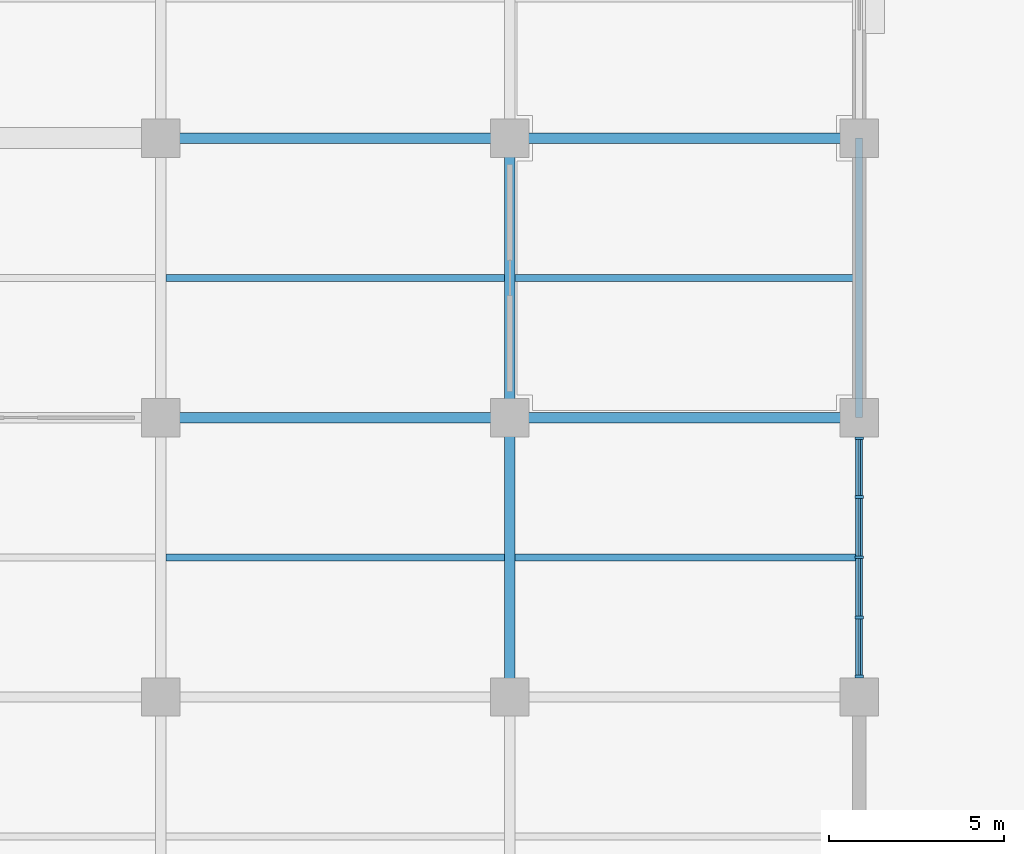
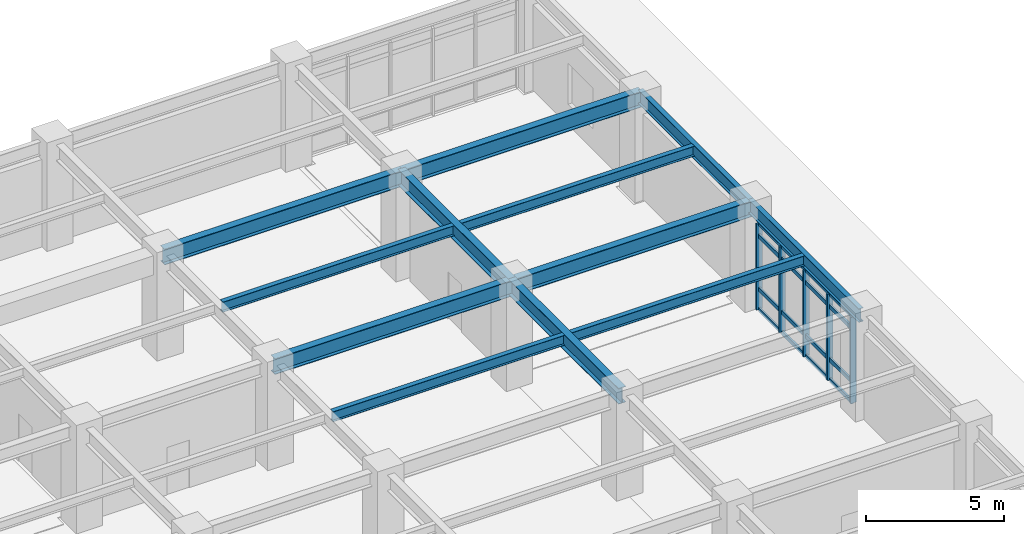
# One storey, part 53 of 125: 21 members, 12 beams, 1 element without a shape of its own.
"""IFC4 building model written with IfcOpenShell, lengths in metres."""

from ifc_helpers import new_model, si_unit, direction, frame, origin, origin_2d, place, context, subcontext, project, spatial, rectangle, i_section, extrude, material, layer, layer_set, material_profile, profile_set, type_object, element, aggregate, save


model = new_model("IFC4")

# Units and contexts
model_context = context("Model", 3, precision=1e-05, world=origin(), true_north=direction((0.0, 1.0)))
body_context = subcontext(model_context, "Body", "Model", "MODEL_VIEW")
ifc_project = project(units=[si_unit("LENGTHUNIT", "METRE"), si_unit("AREAUNIT", "SQUARE_METRE"), si_unit("VOLUMEUNIT", "CUBIC_METRE"), si_unit("PLANEANGLEUNIT", "RADIAN"), si_unit("MASSUNIT", "GRAM", prefix="KILO")], contexts=[model_context])

# Site, building, storey
site_placement = place(None, origin())
site = spatial("IfcSite", under=ifc_project, at=site_placement, CompositionType="ELEMENT")
building_placement = place(site_placement, origin())
building = spatial("IfcBuilding", under=site, at=building_placement, Name="Haebicheon Civic Stadium", CompositionType="ELEMENT")
storey_placement = place(building_placement, origin())
storey = spatial("IfcBuildingStorey", under=building, at=storey_placement, Name="L01", CompositionType="ELEMENT", Elevation=0.0)

# Beams
ifc_material_1 = material(Name="Steel SM490", Category="steel")
ifc_material_profile_1 = material_profile(ifc_material_1, i_section(OverallWidth=0.300048828125, OverallDepth=0.699951171875, WebThickness=0.012939453125, FlangeThickness=0.02392578125, at=origin_2d()), Name="H-700x300x13x24")
ifc_profile_set_1 = profile_set([ifc_material_profile_1], Name="Steel SM490")
beam_type_1 = type_object("IfcBeamType", Name="BM-ST-H700", PredefinedType="BEAM", material=ifc_profile_set_1)
for number, where, z_axis, x_axis, name in (
    (1, (226.0, 136.0, 4.169921875), (0.0, 1.0, 0.0), (-1.0, 0.0, 0.0), "L01 girder 29/T-U"),
    (2, (226.0, 144.0, 4.169921875), (0.0, 1.0, 0.0), (-1.0, 0.0, 0.0), "L01 girder 29/U-V"),
):
    element("IfcBeam", number, at=place(storey_placement, frame(where, z_axis=z_axis, x_axis=x_axis)), inside=storey, type_object=beam_type_1, material=ifc_profile_set_1, Name=name, PredefinedType="BEAM", context=body_context, shape_type="SweptSolid", body=[
        extrude(i_section(OverallWidth=0.300048828125, OverallDepth=0.699951171875, WebThickness=0.012939453125, FlangeThickness=0.02392578125, at=origin_2d()), origin(), (0.0, 0.0, 1.0), 8.0),
    ])
for number, where, z_axis, x_axis, name in (
    (3, (216.0, 144.0, 4.169921875), (1.0, 0.0, 0.0), (0.0, 1.0, 0.0), "L01 beam U/28-29"),
    (4, (216.0, 152.0, 4.169921875), (1.0, 0.0, 0.0), (0.0, 1.0, 0.0), "L01 beam V/28-29"),
    (5, (226.0, 144.0, 4.169921875), (1.0, 0.0, 0.0), (0.0, 1.0, 0.0), "L01 beam U/29-30"),
    (6, (226.0, 152.0, 4.169921875), (1.0, 0.0, 0.0), (0.0, 1.0, 0.0), "L01 beam V/29-30"),
):
    element("IfcBeam", number, at=place(storey_placement, frame(where, z_axis=z_axis, x_axis=x_axis)), inside=storey, type_object=beam_type_1, material=ifc_profile_set_1, Name=name, PredefinedType="BEAM", context=body_context, shape_type="SweptSolid", body=[
        extrude(i_section(OverallWidth=0.300048828125, OverallDepth=0.699951171875, WebThickness=0.012939453125, FlangeThickness=0.02392578125, at=origin_2d()), origin(), (0.0, 0.0, 1.0), 10.0),
    ])

# Curtain wall, members
ifc_material_2 = material(Name="Anodised aluminium and laminated glass", Category="aluminium")
ifc_layer = layer(ifc_material_2, 0.179931640625, Name="Anodised aluminium and laminated glass")
ifc_layer_set = layer_set([ifc_layer], Name="Anodised aluminium and laminated glass")
curtain_wall_type = type_object("IfcCurtainWallType", Name="CW-6900x3810", PredefinedType="NOTDEFINED", material=ifc_layer_set)
curtain_wall_placement = place(storey_placement, origin())
curtain_wall = element("IfcCurtainWall", 7, at=curtain_wall_placement, inside=storey, type_object=curtain_wall_type, material=ifc_layer_set, Name="L01 unitised curtain wall 028", PredefinedType="NOTDEFINED")
ifc_material_3 = material(Name="Anodised aluminium 6063-T6", Category="aluminium")
ifc_material_profile_2 = material_profile(ifc_material_3, rectangle(XDim=0.080078125, YDim=0.239990234375, at=origin_2d()), Name="ALU-MULL-80x240")
ifc_profile_set_2 = profile_set([ifc_material_profile_2], Name="Anodised aluminium 6063-T6")
member_type_1 = type_object("IfcMemberType", Name="CWM-240x80", PredefinedType="MULLION", material=ifc_profile_set_2)
member_1_placement = place(storey_placement, frame((236.0, 136.590087890625, 0.0), z_axis=(0.0, 0.0, 1.0), x_axis=(0.0, 1.0, 0.0)))
member_1 = element("IfcMember", 8, at=member_1_placement, type_object=member_type_1, material=ifc_profile_set_2, Name="CW-L01-028 vertical mullion 1", PredefinedType="MULLION", context=body_context, shape_type="SweptSolid", body=[
    extrude(rectangle(XDim=0.080078125, YDim=0.239990234375, at=origin_2d()), origin(), (0.0, 0.0, 1.0), 3.81005859375),
])
member_2_placement = place(storey_placement, frame((236.0, 138.27490234375, 0.0), z_axis=(0.0, 0.0, 1.0), x_axis=(0.0, 1.0, 0.0)))
member_2 = element("IfcMember", 9, at=member_2_placement, type_object=member_type_1, material=ifc_profile_set_2, Name="CW-L01-028 vertical mullion 2", PredefinedType="MULLION", context=body_context, shape_type="SweptSolid", body=[
    extrude(rectangle(XDim=0.080078125, YDim=0.239990234375, at=origin_2d()), origin(), (0.0, 0.0, 1.0), 3.81005859375),
])
member_3_placement = place(storey_placement, frame((236.0, 140.0, 0.0), z_axis=(0.0, 0.0, 1.0), x_axis=(0.0, 1.0, 0.0)))
member_3 = element("IfcMember", 10, at=member_3_placement, type_object=member_type_1, material=ifc_profile_set_2, Name="CW-L01-028 vertical mullion 3", PredefinedType="MULLION", context=body_context, shape_type="SweptSolid", body=[
    extrude(rectangle(XDim=0.080078125, YDim=0.239990234375, at=origin_2d()), origin(), (0.0, 0.0, 1.0), 3.81005859375),
])
member_4_placement = place(storey_placement, frame((236.0, 141.72509765625, 0.0), z_axis=(0.0, 0.0, 1.0), x_axis=(0.0, 1.0, 0.0)))
member_4 = element("IfcMember", 11, at=member_4_placement, type_object=member_type_1, material=ifc_profile_set_2, Name="CW-L01-028 vertical mullion 4", PredefinedType="MULLION", context=body_context, shape_type="SweptSolid", body=[
    extrude(rectangle(XDim=0.080078125, YDim=0.239990234375, at=origin_2d()), origin(), (0.0, 0.0, 1.0), 3.81005859375),
])
member_5_placement = place(storey_placement, frame((236.0, 143.409912109375, 0.0), z_axis=(0.0, 0.0, 1.0), x_axis=(0.0, 1.0, 0.0)))
member_5 = element("IfcMember", 12, at=member_5_placement, type_object=member_type_1, material=ifc_profile_set_2, Name="CW-L01-028 vertical mullion 5", PredefinedType="MULLION", context=body_context, shape_type="SweptSolid", body=[
    extrude(rectangle(XDim=0.080078125, YDim=0.239990234375, at=origin_2d()), origin(), (0.0, 0.0, 1.0), 3.81005859375),
])
ifc_material_4 = material(Name="Anodised aluminium 6063-T6", Category="aluminium")
ifc_material_profile_3 = material_profile(ifc_material_4, rectangle(XDim=0.080078125, YDim=0.179931640625, at=origin_2d()), Name="ALU-TRAN-80x180")
ifc_profile_set_3 = profile_set([ifc_material_profile_3], Name="Anodised aluminium 6063-T6")
member_type_2 = type_object("IfcMemberType", Name="CWT-180x80", PredefinedType="NOTDEFINED", material=ifc_profile_set_3)
member_6_placement = place(storey_placement, frame((236.0, 136.6298828125, 0.0), z_axis=(0.0, 1.0, 0.0), x_axis=(-1.0, 0.0, 0.0)))
member_6 = element("IfcMember", 13, at=member_6_placement, type_object=member_type_2, material=ifc_profile_set_3, Name="CW-L01-028 horizontal transom 1.1", ObjectType="TRANSOM", PredefinedType="USERDEFINED", context=body_context, shape_type="SweptSolid", body=[
    extrude(rectangle(XDim=0.080078125, YDim=0.179931640625, at=origin_2d()), origin(), (0.0, 0.0, 1.0), 1.605224609375),
])
member_7_placement = place(storey_placement, frame((236.0, 136.6298828125, 0.89990234375), z_axis=(0.0, 1.0, 0.0), x_axis=(-1.0, 0.0, 0.0)))
member_7 = element("IfcMember", 14, at=member_7_placement, type_object=member_type_2, material=ifc_profile_set_3, Name="CW-L01-028 horizontal transom 1.2", ObjectType="TRANSOM", PredefinedType="USERDEFINED", context=body_context, shape_type="SweptSolid", body=[
    extrude(rectangle(XDim=0.080078125, YDim=0.179931640625, at=origin_2d()), origin(), (0.0, 0.0, 1.0), 1.605224609375),
])
member_8_placement = place(storey_placement, frame((236.0, 136.6298828125, 3.260009765625), z_axis=(0.0, 1.0, 0.0), x_axis=(-1.0, 0.0, 0.0)))
member_8 = element("IfcMember", 15, at=member_8_placement, type_object=member_type_2, material=ifc_profile_set_3, Name="CW-L01-028 horizontal transom 1.3", ObjectType="TRANSOM", PredefinedType="USERDEFINED", context=body_context, shape_type="SweptSolid", body=[
    extrude(rectangle(XDim=0.080078125, YDim=0.179931640625, at=origin_2d()), origin(), (0.0, 0.0, 1.0), 1.605224609375),
])
member_9_placement = place(storey_placement, frame((236.0, 136.6298828125, 3.81005859375), z_axis=(0.0, 1.0, 0.0), x_axis=(-1.0, 0.0, 0.0)))
member_9 = element("IfcMember", 16, at=member_9_placement, type_object=member_type_2, material=ifc_profile_set_3, Name="CW-L01-028 horizontal transom 1.4", ObjectType="TRANSOM", PredefinedType="USERDEFINED", context=body_context, shape_type="SweptSolid", body=[
    extrude(rectangle(XDim=0.080078125, YDim=0.179931640625, at=origin_2d()), origin(), (0.0, 0.0, 1.0), 1.605224609375),
])
member_10_placement = place(storey_placement, frame((236.0, 138.31494140625, 0.0), z_axis=(0.0, 1.0, 0.0), x_axis=(-1.0, 0.0, 0.0)))
member_10 = element("IfcMember", 17, at=member_10_placement, type_object=member_type_2, material=ifc_profile_set_3, Name="CW-L01-028 horizontal transom 2.1", ObjectType="TRANSOM", PredefinedType="USERDEFINED", context=body_context, shape_type="SweptSolid", body=[
    extrude(rectangle(XDim=0.080078125, YDim=0.179931640625, at=origin_2d()), origin(), (0.0, 0.0, 1.0), 1.64501953125),
])
member_11_placement = place(storey_placement, frame((236.0, 138.31494140625, 0.89990234375), z_axis=(0.0, 1.0, 0.0), x_axis=(-1.0, 0.0, 0.0)))
member_11 = element("IfcMember", 18, at=member_11_placement, type_object=member_type_2, material=ifc_profile_set_3, Name="CW-L01-028 horizontal transom 2.2", ObjectType="TRANSOM", PredefinedType="USERDEFINED", context=body_context, shape_type="SweptSolid", body=[
    extrude(rectangle(XDim=0.080078125, YDim=0.179931640625, at=origin_2d()), origin(), (0.0, 0.0, 1.0), 1.64501953125),
])
member_12_placement = place(storey_placement, frame((236.0, 138.31494140625, 3.260009765625), z_axis=(0.0, 1.0, 0.0), x_axis=(-1.0, 0.0, 0.0)))
member_12 = element("IfcMember", 19, at=member_12_placement, type_object=member_type_2, material=ifc_profile_set_3, Name="CW-L01-028 horizontal transom 2.3", ObjectType="TRANSOM", PredefinedType="USERDEFINED", context=body_context, shape_type="SweptSolid", body=[
    extrude(rectangle(XDim=0.080078125, YDim=0.179931640625, at=origin_2d()), origin(), (0.0, 0.0, 1.0), 1.64501953125),
])
member_13_placement = place(storey_placement, frame((236.0, 138.31494140625, 3.81005859375), z_axis=(0.0, 1.0, 0.0), x_axis=(-1.0, 0.0, 0.0)))
member_13 = element("IfcMember", 20, at=member_13_placement, type_object=member_type_2, material=ifc_profile_set_3, Name="CW-L01-028 horizontal transom 2.4", ObjectType="TRANSOM", PredefinedType="USERDEFINED", context=body_context, shape_type="SweptSolid", body=[
    extrude(rectangle(XDim=0.080078125, YDim=0.179931640625, at=origin_2d()), origin(), (0.0, 0.0, 1.0), 1.64501953125),
])
member_14_placement = place(storey_placement, frame((236.0, 140.0400390625, 0.0), z_axis=(0.0, 1.0, 0.0), x_axis=(-1.0, 0.0, 0.0)))
member_14 = element("IfcMember", 21, at=member_14_placement, type_object=member_type_2, material=ifc_profile_set_3, Name="CW-L01-028 horizontal transom 3.1", ObjectType="TRANSOM", PredefinedType="USERDEFINED", context=body_context, shape_type="SweptSolid", body=[
    extrude(rectangle(XDim=0.080078125, YDim=0.179931640625, at=origin_2d()), origin(), (0.0, 0.0, 1.0), 1.64501953125),
])
member_15_placement = place(storey_placement, frame((236.0, 140.0400390625, 0.89990234375), z_axis=(0.0, 1.0, 0.0), x_axis=(-1.0, 0.0, 0.0)))
member_15 = element("IfcMember", 22, at=member_15_placement, type_object=member_type_2, material=ifc_profile_set_3, Name="CW-L01-028 horizontal transom 3.2", ObjectType="TRANSOM", PredefinedType="USERDEFINED", context=body_context, shape_type="SweptSolid", body=[
    extrude(rectangle(XDim=0.080078125, YDim=0.179931640625, at=origin_2d()), origin(), (0.0, 0.0, 1.0), 1.64501953125),
])
member_16_placement = place(storey_placement, frame((236.0, 140.0400390625, 3.260009765625), z_axis=(0.0, 1.0, 0.0), x_axis=(-1.0, 0.0, 0.0)))
member_16 = element("IfcMember", 23, at=member_16_placement, type_object=member_type_2, material=ifc_profile_set_3, Name="CW-L01-028 horizontal transom 3.3", ObjectType="TRANSOM", PredefinedType="USERDEFINED", context=body_context, shape_type="SweptSolid", body=[
    extrude(rectangle(XDim=0.080078125, YDim=0.179931640625, at=origin_2d()), origin(), (0.0, 0.0, 1.0), 1.64501953125),
])
member_17_placement = place(storey_placement, frame((236.0, 140.0400390625, 3.81005859375), z_axis=(0.0, 1.0, 0.0), x_axis=(-1.0, 0.0, 0.0)))
member_17 = element("IfcMember", 24, at=member_17_placement, type_object=member_type_2, material=ifc_profile_set_3, Name="CW-L01-028 horizontal transom 3.4", ObjectType="TRANSOM", PredefinedType="USERDEFINED", context=body_context, shape_type="SweptSolid", body=[
    extrude(rectangle(XDim=0.080078125, YDim=0.179931640625, at=origin_2d()), origin(), (0.0, 0.0, 1.0), 1.64501953125),
])
member_18_placement = place(storey_placement, frame((236.0, 141.764892578125, 0.0), z_axis=(0.0, 1.0, 0.0), x_axis=(-1.0, 0.0, 0.0)))
member_18 = element("IfcMember", 25, at=member_18_placement, type_object=member_type_2, material=ifc_profile_set_3, Name="CW-L01-028 horizontal transom 4.1", ObjectType="TRANSOM", PredefinedType="USERDEFINED", context=body_context, shape_type="SweptSolid", body=[
    extrude(rectangle(XDim=0.080078125, YDim=0.179931640625, at=origin_2d()), origin(), (0.0, 0.0, 1.0), 1.605224609375),
])
member_19_placement = place(storey_placement, frame((236.0, 141.764892578125, 0.89990234375), z_axis=(0.0, 1.0, 0.0), x_axis=(-1.0, 0.0, 0.0)))
member_19 = element("IfcMember", 26, at=member_19_placement, type_object=member_type_2, material=ifc_profile_set_3, Name="CW-L01-028 horizontal transom 4.2", ObjectType="TRANSOM", PredefinedType="USERDEFINED", context=body_context, shape_type="SweptSolid", body=[
    extrude(rectangle(XDim=0.080078125, YDim=0.179931640625, at=origin_2d()), origin(), (0.0, 0.0, 1.0), 1.605224609375),
])
member_20_placement = place(storey_placement, frame((236.0, 141.764892578125, 3.260009765625), z_axis=(0.0, 1.0, 0.0), x_axis=(-1.0, 0.0, 0.0)))
member_20 = element("IfcMember", 27, at=member_20_placement, type_object=member_type_2, material=ifc_profile_set_3, Name="CW-L01-028 horizontal transom 4.3", ObjectType="TRANSOM", PredefinedType="USERDEFINED", context=body_context, shape_type="SweptSolid", body=[
    extrude(rectangle(XDim=0.080078125, YDim=0.179931640625, at=origin_2d()), origin(), (0.0, 0.0, 1.0), 1.605224609375),
])
member_21_placement = place(storey_placement, frame((236.0, 141.764892578125, 3.81005859375), z_axis=(0.0, 1.0, 0.0), x_axis=(-1.0, 0.0, 0.0)))
member_21 = element("IfcMember", 28, at=member_21_placement, type_object=member_type_2, material=ifc_profile_set_3, Name="CW-L01-028 horizontal transom 4.4", ObjectType="TRANSOM", PredefinedType="USERDEFINED", context=body_context, shape_type="SweptSolid", body=[
    extrude(rectangle(XDim=0.080078125, YDim=0.179931640625, at=origin_2d()), origin(), (0.0, 0.0, 1.0), 1.605224609375),
])
aggregate(curtain_wall, [member_1, member_2, member_3, member_4, member_5, member_6, member_7, member_8, member_9, member_10, member_11, member_12, member_13, member_14, member_15, member_16, member_17, member_18, member_19, member_20, member_21])

# Beams
ifc_material_5 = material(Name="Steel SM355 (S355)", Category="steel")
ifc_material_profile_4 = material_profile(ifc_material_5, i_section(OverallWidth=0.199951171875, OverallDepth=0.449951171875, WebThickness=0.009033203125, FlangeThickness=0.013916015625, at=origin_2d()), Name="H-450x200x9x14")
ifc_profile_set_4 = profile_set([ifc_material_profile_4], Name="Steel SM355 (S355)")
beam_type_2 = type_object("IfcBeamType", Name="JST-ST-H450", PredefinedType="JOIST", material=ifc_profile_set_4)
for number, where, z_axis, x_axis, name in (
    (29, (216.14990234375, 140.0, 4.294921875), (1.0, 0.0, 0.0), (0.0, 1.0, 0.0), "L01 secondary joist 27-17"),
    (30, (216.14990234375, 148.0, 4.294921875), (1.0, 0.0, 0.0), (0.0, 1.0, 0.0), "L01 secondary joist 27-18"),
):
    element("IfcBeam", number, at=place(storey_placement, frame(where, z_axis=z_axis, x_axis=x_axis)), inside=storey, type_object=beam_type_2, material=ifc_profile_set_4, Name=name, PredefinedType="JOIST", context=body_context, shape_type="SweptSolid", body=[
        extrude(i_section(OverallWidth=0.199951171875, OverallDepth=0.449951171875, WebThickness=0.009033203125, FlangeThickness=0.013916015625, at=origin_2d()), origin(), (0.0, 0.0, 1.0), 9.7001953125),
    ])
for number, where, z_axis, x_axis, name in (
    (31, (226.14990234375, 140.0, 4.294921875), (1.0, 0.0, 0.0), (0.0, 1.0, 0.0), "L01 secondary joist 28-17"),
    (32, (226.14990234375, 148.0, 4.294921875), (1.0, 0.0, 0.0), (0.0, 1.0, 0.0), "L01 secondary joist 28-18"),
):
    element("IfcBeam", number, at=place(storey_placement, frame(where, z_axis=z_axis, x_axis=x_axis)), inside=storey, type_object=beam_type_2, material=ifc_profile_set_4, Name=name, PredefinedType="JOIST", context=body_context, shape_type="SweptSolid", body=[
        extrude(i_section(OverallWidth=0.199951171875, OverallDepth=0.449951171875, WebThickness=0.009033203125, FlangeThickness=0.013916015625, at=origin_2d()), origin(), (0.0, 0.0, 1.0), 9.75),
    ])
ifc_material_6 = material(Name="Steel SM355 (S355)", Category="steel")
ifc_material_profile_5 = material_profile(ifc_material_6, i_section(OverallWidth=0.199951171875, OverallDepth=0.60009765625, WebThickness=0.010986328125, FlangeThickness=0.01708984375, at=origin_2d()), Name="H-600x200x11x17")
ifc_profile_set_5 = profile_set([ifc_material_profile_5], Name="Steel SM355 (S355)")
beam_type_3 = type_object("IfcBeamType", Name="SPD-ST-H600B", PredefinedType="SPANDREL", material=ifc_profile_set_5)
for number, where, z_axis, x_axis, name in (
    (33, (236.0, 136.0, 4.219970703125), (0.0, 1.0, 0.0), (-1.0, 0.0, 0.0), "L01 girder 30/T-U"),
    (34, (236.0, 144.0, 4.219970703125), (0.0, 1.0, 0.0), (-1.0, 0.0, 0.0), "L01 girder 30/U-V"),
):
    element("IfcBeam", number, at=place(storey_placement, frame(where, z_axis=z_axis, x_axis=x_axis)), inside=storey, type_object=beam_type_3, material=ifc_profile_set_5, Name=name, PredefinedType="SPANDREL", context=body_context, shape_type="SweptSolid", body=[
        extrude(i_section(OverallWidth=0.199951171875, OverallDepth=0.60009765625, WebThickness=0.010986328125, FlangeThickness=0.01708984375, at=origin_2d()), origin(), (0.0, 0.0, 1.0), 8.0),
    ])

save(model, "model.ifc")
